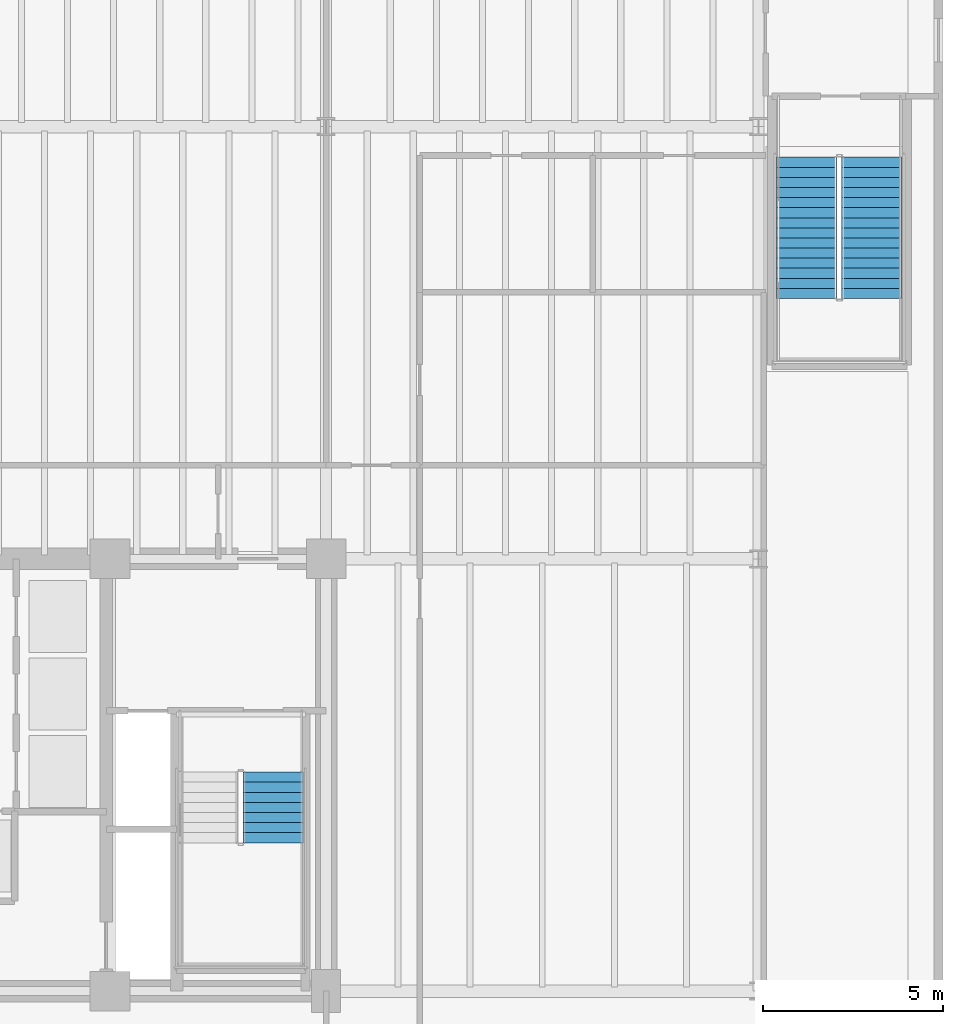
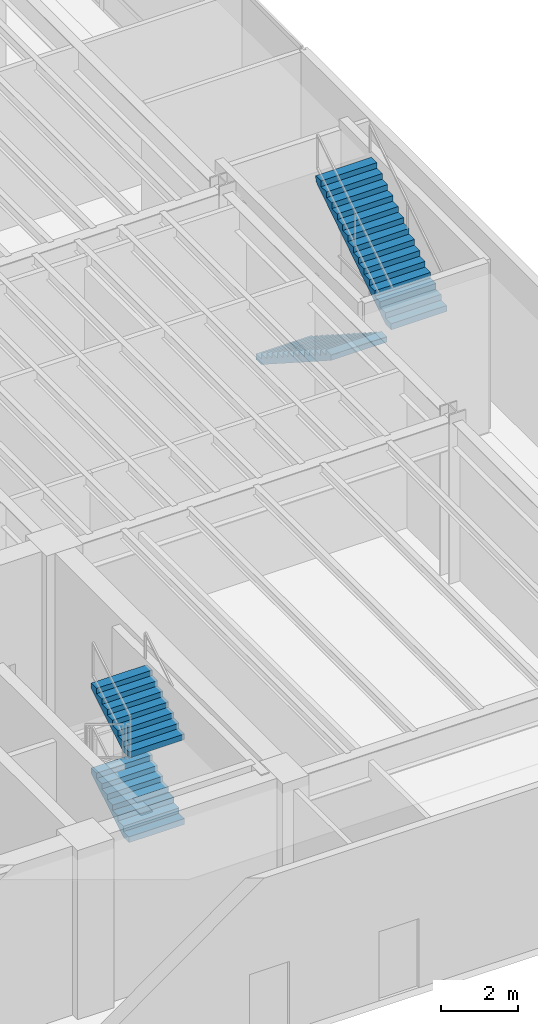
# One storey, part 12 of 17: 4 stair flights, 2 elements without a shape of their own.
"""IFC4 building model written with IfcOpenShell, lengths in metres."""

from ifc_helpers import new_model, si_unit, direction, frame, origin, place, context, subcontext, project, spatial, polyline, outline, extrude, material, type_object, element, aggregate, save


model = new_model("IFC4")

# Units and contexts
model_context = context("Model", 3, precision=1e-05, world=origin(), true_north=direction((0.0, 1.0)))
body_context = subcontext(model_context, "Body", "Model", "MODEL_VIEW")
ifc_project = project(units=[si_unit("LENGTHUNIT", "METRE"), si_unit("AREAUNIT", "SQUARE_METRE"), si_unit("VOLUMEUNIT", "CUBIC_METRE"), si_unit("PLANEANGLEUNIT", "RADIAN"), si_unit("MASSUNIT", "GRAM", prefix="KILO")], contexts=[model_context])

# Site, building, storey
site_placement = place(None, origin())
site = spatial("IfcSite", under=ifc_project, at=site_placement, CompositionType="ELEMENT")
building_placement = place(site_placement, origin())
building = spatial("IfcBuilding", under=site, at=building_placement, Name="Brelvock Crest Care Tower", CompositionType="ELEMENT")
storey_placement = place(building_placement, origin())
storey = spatial("IfcBuildingStorey", under=building, at=storey_placement, Name="L00", CompositionType="ELEMENT", Elevation=0.0)

# Stair, stair flights
ifc_material = material(Name="Concrete N40 (40 MPa)", Category="concrete")
stair_type_1 = type_object("IfcStairType", Name="ST-CORE1", PredefinedType="HALF_TURN_STAIR", material=ifc_material)
stair_1_placement = place(storey_placement, origin())
stair_1 = element("IfcStair", 1, at=stair_1_placement, inside=storey, type_object=stair_type_1, Name="L00 Fire-Isolated Core Stair ST-2", PredefinedType="HALF_TURN_STAIR")
stair_flight_type_1 = type_object("IfcStairFlightType", Name="STF-1", PredefinedType="STRAIGHT", material=ifc_material)
stair_flight_1_placement = place(storey_placement, frame((46.530029296875, 10.1201171875, 1.35009765625), z_axis=(0.0, 0.0, 1.0), x_axis=(0.0, 1.0, 0.0)))
stair_flight_1 = element("IfcStairFlight", 2, at=stair_flight_1_placement, type_object=stair_flight_type_1, Name="ST-2 flight 2", NumberOfRisers=8, NumberOfTreads=7, PredefinedType="STRAIGHT", RiserHeight=0.16875, TreadLength=0.28, context=body_context, shape_type="SweptSolid", body=[
    extrude(outline(polyline([(-0.00390625, -0.014892578125), (-0.00390625, -0.008544921875), (-0.00390625, -0.001953125), (-0.00390625, 0.004638671875), (-0.00390625, 0.01123046875), (-0.00390625, 0.017822265625), (-0.00390625, 0.0244140625), (-0.00390625, 0.031005859375), (-0.00390625, 0.03759765625), (-0.00390625, 0.0439453125), (-0.00390625, 0.050537109375), (-0.00390625, 0.05712890625), (-0.00390625, 0.063720703125), (-0.00390625, 0.0703125), (-0.00390625, 0.076904296875), (-0.00390625, 0.08349609375), (-0.00390625, 0.090087890625), (-0.00390625, 0.0966796875), (-0.00390625, 0.10302734375), (-0.00390625, 0.109619140625), (-0.00390625, 0.1162109375), (-0.00390625, 0.122802734375), (-0.00390625, 0.12939453125), (-0.00390625, 0.135986328125), (-0.00390625, 0.142578125), (-0.00390625, 0.149169921875), (-0.00390625, 0.155517578125), (-0.00390625, 0.162109375), (-0.00390625, 0.168701171875), (0.0, 0.168701171875), (0.280029296875, 0.168701171875), (0.280029296875, 0.33740234375), (0.56005859375, 0.33740234375), (0.56005859375, 0.50634765625), (0.840087890625, 0.50634765625), (0.840087890625, 0.675048828125), (1.1201171875, 0.675048828125), (1.1201171875, 0.84375), (1.39990234375, 0.84375), (1.39990234375, 1.012451171875), (1.679931640625, 1.012451171875), (1.679931640625, 1.18115234375), (1.9599609375, 1.18115234375), (1.964111328125, 1.18115234375), (1.9638671875, 1.18017578125), (1.964111328125, 1.17919921875), (1.9638671875, 1.17822265625), (1.964111328125, 1.177001953125), (1.9638671875, 1.176025390625), (1.964111328125, 1.175048828125), (1.9638671875, 1.173828125), (1.964111328125, 1.1728515625), (1.9638671875, 1.171875), (1.964111328125, 1.1708984375), (1.9638671875, 1.169677734375), (1.964111328125, 1.168701171875), (1.9638671875, 1.167724609375), (1.964111328125, 1.166748046875), (1.9638671875, 1.16552734375), (1.964111328125, 1.16455078125), (1.9638671875, 1.16357421875), (1.964111328125, 1.162353515625), (1.9638671875, 1.161376953125), (1.964111328125, 1.160400390625), (1.9638671875, 1.159423828125), (1.964111328125, 1.158203125), (1.9638671875, 1.1572265625), (1.964111328125, 1.15625), (1.9638671875, 1.155029296875), (1.964111328125, 1.154052734375), (1.9638671875, 1.153076171875), (1.964111328125, 1.152099609375), (1.9599609375, 1.00634765625), (0.29052734375, 0.0), (0.0, 0.0), (0.0, -0.014892578125), (-0.00390625, -0.014892578125)])), frame((0.0, 0.83984375, 0.0), z_axis=(0.0, -1.0, 0.0), x_axis=(1.0, 0.0, 0.0)), (0.0, 0.0, 1.0), 1.679931640625),
])
stair_flight_2_placement = place(storey_placement, frame((46.530029296875, 10.1201171875, 4.050048828125), z_axis=(0.0, 0.0, 1.0), x_axis=(0.0, 1.0, 0.0)))
stair_flight_2 = element("IfcStairFlight", 3, at=stair_flight_2_placement, type_object=stair_flight_type_1, Name="ST-2 flight 4", NumberOfRisers=8, NumberOfTreads=7, PredefinedType="STRAIGHT", RiserHeight=0.16875, TreadLength=0.28, context=body_context, shape_type="SweptSolid", body=[
    extrude(outline(polyline([(-0.00390625, -0.014892578125), (-0.00390625, -0.008544921875), (-0.00390625, -0.001953125), (-0.00390625, 0.004638671875), (-0.00390625, 0.01123046875), (-0.00390625, 0.017822265625), (-0.00390625, 0.0244140625), (-0.00390625, 0.031005859375), (-0.00390625, 0.03759765625), (-0.00390625, 0.0439453125), (-0.00390625, 0.050537109375), (-0.00390625, 0.05712890625), (-0.00390625, 0.063720703125), (-0.00390625, 0.0703125), (-0.00390625, 0.076904296875), (-0.00390625, 0.08349609375), (-0.00390625, 0.090087890625), (-0.00390625, 0.0966796875), (-0.00390625, 0.10302734375), (-0.00390625, 0.109619140625), (-0.00390625, 0.1162109375), (-0.00390625, 0.122802734375), (-0.00390625, 0.12939453125), (-0.00390625, 0.135986328125), (-0.00390625, 0.142578125), (-0.00390625, 0.149169921875), (-0.00390625, 0.155517578125), (-0.00390625, 0.162109375), (-0.00390625, 0.168701171875), (0.0, 0.168701171875), (0.280029296875, 0.168701171875), (0.280029296875, 0.33740234375), (0.56005859375, 0.33740234375), (0.56005859375, 0.50634765625), (0.840087890625, 0.50634765625), (0.840087890625, 0.675048828125), (1.1201171875, 0.675048828125), (1.1201171875, 0.84375), (1.39990234375, 0.84375), (1.39990234375, 1.012451171875), (1.679931640625, 1.012451171875), (1.679931640625, 1.18115234375), (1.9599609375, 1.18115234375), (1.964111328125, 1.18115234375), (1.9638671875, 1.18017578125), (1.964111328125, 1.17919921875), (1.9638671875, 1.17822265625), (1.964111328125, 1.177001953125), (1.9638671875, 1.176025390625), (1.964111328125, 1.175048828125), (1.9638671875, 1.173828125), (1.964111328125, 1.1728515625), (1.9638671875, 1.171875), (1.964111328125, 1.1708984375), (1.9638671875, 1.169677734375), (1.964111328125, 1.168701171875), (1.9638671875, 1.167724609375), (1.964111328125, 1.166748046875), (1.9638671875, 1.16552734375), (1.964111328125, 1.16455078125), (1.9638671875, 1.16357421875), (1.964111328125, 1.162353515625), (1.9638671875, 1.161376953125), (1.964111328125, 1.160400390625), (1.9638671875, 1.159423828125), (1.964111328125, 1.158203125), (1.9638671875, 1.1572265625), (1.964111328125, 1.15625), (1.9638671875, 1.155029296875), (1.964111328125, 1.154052734375), (1.9638671875, 1.153076171875), (1.964111328125, 1.152099609375), (1.9599609375, 1.00634765625), (0.29052734375, 0.0), (0.0, 0.0), (0.0, -0.014892578125), (-0.00390625, -0.014892578125)])), frame((0.0, 0.83984375, 0.0), z_axis=(0.0, -1.0, 0.0), x_axis=(1.0, 0.0, 0.0)), (0.0, 0.0, 1.0), 1.679931640625),
])
aggregate(stair_1, [stair_flight_1, stair_flight_2])

stair_type_2 = type_object("IfcStairType", Name="ST-POD1", PredefinedType="HALF_TURN_STAIR", material=ifc_material)
stair_2_placement = place(storey_placement, origin())
stair_2 = element("IfcStair", 4, at=stair_2_placement, inside=storey, type_object=stair_type_2, Name="L00 Podium East Fire Stair ST-4", PredefinedType="HALF_TURN_STAIR")
stair_flight_type_2 = type_object("IfcStairFlightType", Name="STF-2", PredefinedType="STRAIGHT", material=ifc_material)
stair_flight_3_placement = place(storey_placement, frame((61.35009765625, 29.14990234375, 0.0), z_axis=(0.0, 0.0, 1.0), x_axis=(0.0, -1.0, 0.0)))
stair_flight_3 = element("IfcStairFlight", 5, at=stair_flight_3_placement, type_object=stair_flight_type_2, Name="ST-4 flight 1", NumberOfRisers=15, NumberOfTreads=14, PredefinedType="STRAIGHT", RiserHeight=0.18, TreadLength=0.28, context=body_context, shape_type="SweptSolid", body=[
    extrude(outline(polyline([(-0.00390625, -0.014892578125), (-0.00390625, -0.008056640625), (-0.00390625, -0.0009765625), (-0.00390625, 0.005859375), (-0.00390625, 0.012939453125), (-0.00390625, 0.019775390625), (-0.00390625, 0.02685546875), (-0.00390625, 0.03369140625), (-0.00390625, 0.040771484375), (-0.00390625, 0.047607421875), (-0.00390625, 0.0546875), (-0.00390625, 0.0615234375), (-0.00390625, 0.068603515625), (-0.00390625, 0.075439453125), (-0.00390625, 0.08251953125), (-0.00390625, 0.08935546875), (-0.00390625, 0.096435546875), (-0.00390625, 0.103271484375), (-0.00390625, 0.1103515625), (-0.00390625, 0.117431640625), (-0.00390625, 0.124267578125), (-0.00390625, 0.13134765625), (-0.00390625, 0.13818359375), (-0.00390625, 0.145263671875), (-0.00390625, 0.152099609375), (-0.00390625, 0.1591796875), (-0.00390625, 0.166015625), (-0.00390625, 0.173095703125), (-0.00390625, 0.179931640625), (0.0, 0.179931640625), (0.280029296875, 0.179931640625), (0.280029296875, 0.360107421875), (0.56005859375, 0.360107421875), (0.56005859375, 0.5400390625), (0.840087890625, 0.5400390625), (0.840087890625, 0.719970703125), (1.1201171875, 0.719970703125), (1.1201171875, 0.89990234375), (1.39990234375, 0.89990234375), (1.39990234375, 1.080078125), (1.679931640625, 1.080078125), (1.679931640625, 1.260009765625), (1.9599609375, 1.260009765625), (1.9599609375, 1.43994140625), (2.239990234375, 1.43994140625), (2.239990234375, 1.6201171875), (2.52001953125, 1.6201171875), (2.52001953125, 1.800048828125), (2.800048828125, 1.800048828125), (2.800048828125, 1.97998046875), (3.080078125, 1.97998046875), (3.080078125, 2.159912109375), (3.360107421875, 2.159912109375), (3.360107421875, 2.340087890625), (3.639892578125, 2.340087890625), (3.639892578125, 2.52001953125), (3.919921875, 2.52001953125), (3.924072265625, 2.52001953125), (3.923828125, 2.519287109375), (3.924072265625, 2.518798828125), (3.923828125, 2.51806640625), (3.924072265625, 2.517333984375), (3.923828125, 2.516845703125), (3.924072265625, 2.51611328125), (3.923828125, 2.515380859375), (3.924072265625, 2.514892578125), (3.923828125, 2.51416015625), (3.924072265625, 2.513671875), (3.923828125, 2.512939453125), (3.924072265625, 2.51220703125), (3.923828125, 2.51171875), (3.924072265625, 2.510986328125), (3.923828125, 2.51025390625), (3.924072265625, 2.509765625), (3.923828125, 2.509033203125), (3.924072265625, 2.508544921875), (3.923828125, 2.5078125), (3.924072265625, 2.507080078125), (3.923828125, 2.506591796875), (3.924072265625, 2.505859375), (3.923828125, 2.505126953125), (3.924072265625, 2.504638671875), (3.923828125, 2.50390625), (3.924072265625, 2.503173828125), (3.923828125, 2.502685546875), (3.924072265625, 2.501953125), (3.919921875, 2.341796875), (0.277099609375, 0.0), (0.0, 0.0), (0.0, -0.014892578125), (-0.00390625, -0.014892578125)])), frame((0.0, 0.83984375, 0.0), z_axis=(0.0, -1.0, 0.0), x_axis=(1.0, 0.0, 0.0)), (0.0, 0.0, 1.0), 1.679931640625),
])
stair_flight_4_placement = place(storey_placement, frame((63.14990234375, 25.22998046875, 2.699951171875), z_axis=(0.0, 0.0, 1.0), x_axis=(0.0, 1.0, 0.0)))
stair_flight_4 = element("IfcStairFlight", 6, at=stair_flight_4_placement, type_object=stair_flight_type_2, Name="ST-4 flight 2", NumberOfRisers=15, NumberOfTreads=14, PredefinedType="STRAIGHT", RiserHeight=0.18, TreadLength=0.28, context=body_context, shape_type="SweptSolid", body=[
    extrude(outline(polyline([(-0.00390625, -0.014892578125), (-0.00390625, -0.008056640625), (-0.00390625, -0.0009765625), (-0.00390625, 0.005859375), (-0.00390625, 0.012939453125), (-0.00390625, 0.019775390625), (-0.00390625, 0.02685546875), (-0.00390625, 0.03369140625), (-0.00390625, 0.040771484375), (-0.00390625, 0.047607421875), (-0.00390625, 0.0546875), (-0.00390625, 0.0615234375), (-0.00390625, 0.068603515625), (-0.00390625, 0.075439453125), (-0.00390625, 0.08251953125), (-0.00390625, 0.08935546875), (-0.00390625, 0.096435546875), (-0.00390625, 0.103271484375), (-0.00390625, 0.1103515625), (-0.00390625, 0.117431640625), (-0.00390625, 0.124267578125), (-0.00390625, 0.13134765625), (-0.00390625, 0.13818359375), (-0.00390625, 0.145263671875), (-0.00390625, 0.152099609375), (-0.00390625, 0.1591796875), (-0.00390625, 0.166015625), (-0.00390625, 0.173095703125), (-0.00390625, 0.179931640625), (0.0, 0.179931640625), (0.280029296875, 0.179931640625), (0.280029296875, 0.360107421875), (0.56005859375, 0.360107421875), (0.56005859375, 0.5400390625), (0.840087890625, 0.5400390625), (0.840087890625, 0.719970703125), (1.1201171875, 0.719970703125), (1.1201171875, 0.89990234375), (1.39990234375, 0.89990234375), (1.39990234375, 1.080078125), (1.679931640625, 1.080078125), (1.679931640625, 1.260009765625), (1.9599609375, 1.260009765625), (1.9599609375, 1.43994140625), (2.239990234375, 1.43994140625), (2.239990234375, 1.6201171875), (2.52001953125, 1.6201171875), (2.52001953125, 1.800048828125), (2.800048828125, 1.800048828125), (2.800048828125, 1.97998046875), (3.080078125, 1.97998046875), (3.080078125, 2.159912109375), (3.360107421875, 2.159912109375), (3.360107421875, 2.340087890625), (3.639892578125, 2.340087890625), (3.639892578125, 2.52001953125), (3.919921875, 2.52001953125), (3.924072265625, 2.52001953125), (3.923828125, 2.519287109375), (3.924072265625, 2.518798828125), (3.923828125, 2.51806640625), (3.924072265625, 2.517333984375), (3.923828125, 2.516845703125), (3.924072265625, 2.51611328125), (3.923828125, 2.515380859375), (3.924072265625, 2.514892578125), (3.923828125, 2.51416015625), (3.924072265625, 2.513671875), (3.923828125, 2.512939453125), (3.924072265625, 2.51220703125), (3.923828125, 2.51171875), (3.924072265625, 2.510986328125), (3.923828125, 2.51025390625), (3.924072265625, 2.509765625), (3.923828125, 2.509033203125), (3.924072265625, 2.508544921875), (3.923828125, 2.5078125), (3.924072265625, 2.507080078125), (3.923828125, 2.506591796875), (3.924072265625, 2.505859375), (3.923828125, 2.505126953125), (3.924072265625, 2.504638671875), (3.923828125, 2.50390625), (3.924072265625, 2.503173828125), (3.923828125, 2.502685546875), (3.924072265625, 2.501953125), (3.919921875, 2.341796875), (0.277099609375, 0.0), (0.0, 0.0), (0.0, -0.014892578125), (-0.00390625, -0.014892578125)])), frame((0.0, 0.83984375, 0.0), z_axis=(0.0, -1.0, 0.0), x_axis=(1.0, 0.0, 0.0)), (0.0, 0.0, 1.0), 1.679931640625),
])
aggregate(stair_2, [stair_flight_3, stair_flight_4])

save(model, "model.ifc")
